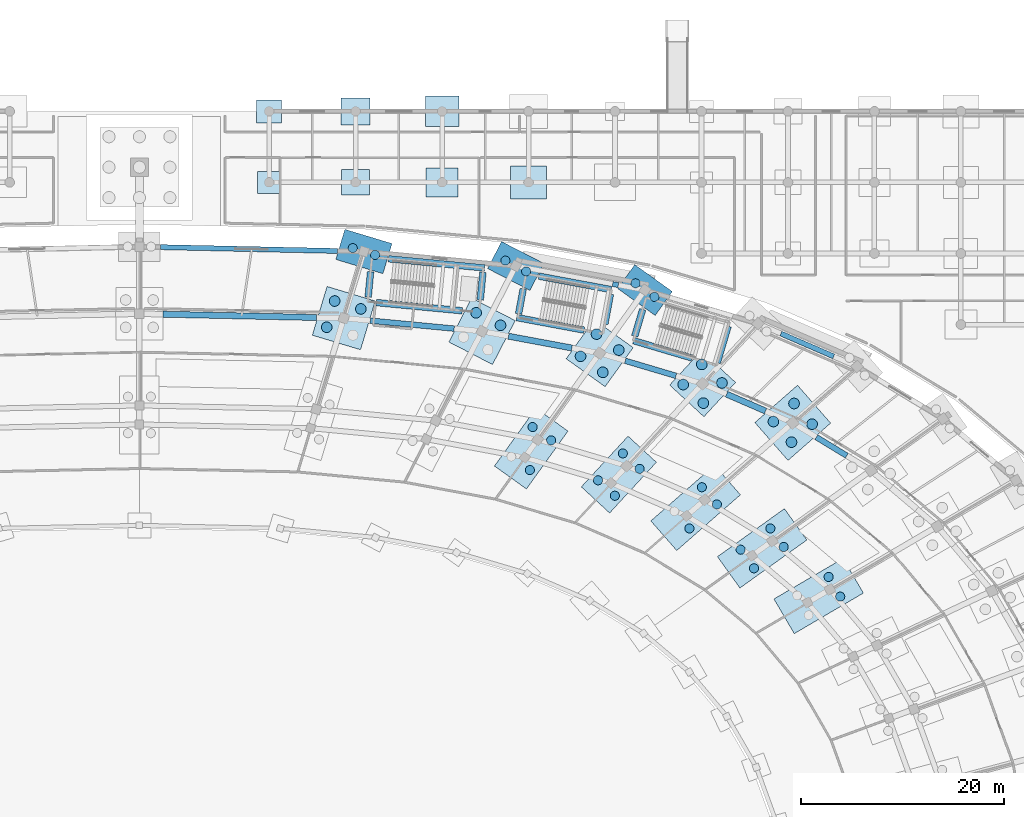
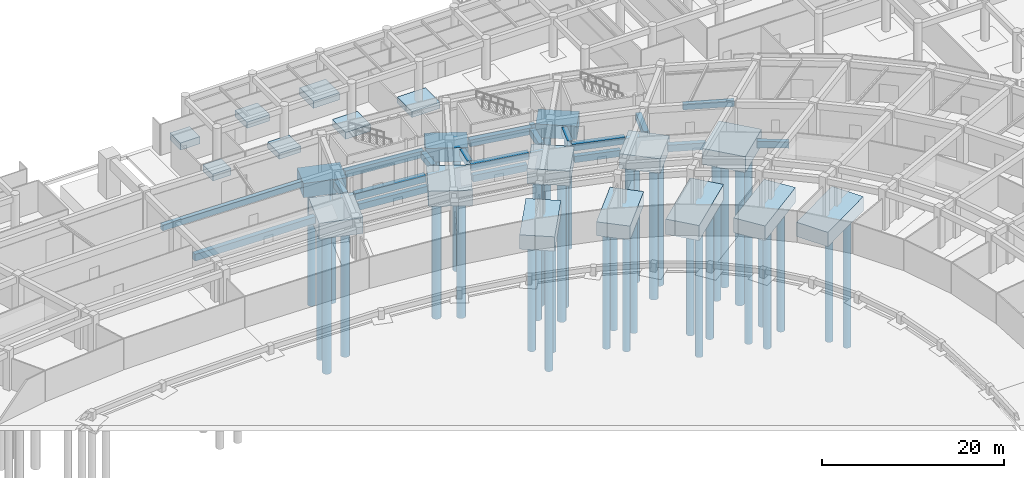
# One storey, part 12 of 88: 40 footings, 39 piles.
"""IFC4 building model written with IfcOpenShell, lengths in metres."""

from ifc_helpers import new_model, si_unit, direction, frame, origin, origin_2d, place, context, subcontext, project, spatial, rectangle, circle, extrude, material, material_profile, profile_set, type_object, element, save


model = new_model("IFC4")

# Units and contexts
model_context = context("Model", 3, precision=1e-05, world=origin(), true_north=direction((0.0, 1.0)))
body_context = subcontext(model_context, "Body", "Model", "MODEL_VIEW")
ifc_project = project(units=[si_unit("LENGTHUNIT", "METRE"), si_unit("AREAUNIT", "SQUARE_METRE"), si_unit("VOLUMEUNIT", "CUBIC_METRE"), si_unit("PLANEANGLEUNIT", "RADIAN"), si_unit("MASSUNIT", "GRAM", prefix="KILO")], contexts=[model_context])

# Site, building, storey
site_placement = place(None, origin())
site = spatial("IfcSite", under=ifc_project, at=site_placement, CompositionType="ELEMENT")
building_placement = place(site_placement, origin())
building = spatial("IfcBuilding", under=site, at=building_placement, Name="Mphavela Belvedere Stadium", CompositionType="ELEMENT")
storey_placement = place(building_placement, origin())
storey = spatial("IfcBuildingStorey", under=building, at=storey_placement, Name="L00", CompositionType="ELEMENT", Elevation=0.0)

# Footings
ifc_material_1 = material(Name="Concrete C35/45", Category="concrete")
footing_type_1 = type_object("IfcFootingType", Name="FTG-CORE-CF03", PredefinedType="PAD_FOOTING", material=ifc_material_1)
for number, where, z_axis, x_axis, name in (
    (1, (137.6533203125, 156.953125, -0.89990234375), (0.0, 0.0, 1.0), (0.094977069084, 0.995479460536, 0.0), "Core C03 shear wall foundation pad left"),
    (2, (152.579833984375, 155.28515625, -0.89990234375), (0.0, 0.0, 1.0), (0.183093507769, 0.983095502692, 0.0), "Core P02 shear wall foundation pad left"),
):
    element("IfcFooting", number, at=place(storey_placement, frame(where, z_axis=z_axis, x_axis=x_axis)), inside=storey, type_object=footing_type_1, Name=name, PredefinedType="PAD_FOOTING", context=body_context, shape_type="SweptSolid", body=[
        extrude(rectangle(XDim=2.5, YDim=0.64990234375, at=origin_2d()), origin(), (0.0, 0.0, 1.0), 0.89990234375),
    ])
ifc_material_2 = material(Name="Concrete C35/45", Category="concrete")
footing_type_2 = type_object("IfcFootingType", Name="FTG-CORE-CF04", PredefinedType="PAD_FOOTING", material=ifc_material_2)
for number, where, z_axis, x_axis, name in (
    (3, (148.70751953125, 156.78955078125, -0.89990234375), (0.0, 0.0, 1.0), (0.094977069084, 0.995479460536, 0.0), "Core C03 shear wall foundation pad right"),
    (4, (164.183837890625, 153.1708984375, -0.89990234375), (0.0, 0.0, 1.0), (0.284517342588, 0.958670893355, 0.0), "Core P01 shear wall foundation pad left"),
):
    element("IfcFooting", number, at=place(storey_placement, frame(where, z_axis=z_axis, x_axis=x_axis)), inside=storey, type_object=footing_type_2, Name=name, PredefinedType="PAD_FOOTING", context=body_context, shape_type="SweptSolid", body=[
        extrude(rectangle(XDim=2.75, YDim=0.64990234375, at=origin_2d()), origin(), (0.0, 0.0, 1.0), 0.89990234375),
    ])
ifc_material_3 = material(Name="Concrete C35/45", Category="concrete")
footing_type_3 = type_object("IfcFootingType", Name="FTG-CORE-CF05", PredefinedType="PAD_FOOTING", material=ifc_material_3)
footing_1_placement = place(storey_placement, frame((161.1240234375, 154.518310546875, -0.89990234375), z_axis=(0.0, 0.0, 1.0), x_axis=(0.183093507769, 0.983095502692, 0.0)))
element("IfcFooting", 5, at=footing_1_placement, inside=storey, type_object=footing_type_3, Name="Core P02 shear wall foundation pad right", PredefinedType="PAD_FOOTING", context=body_context, shape_type="SweptSolid", body=[
    extrude(rectangle(XDim=3.0, YDim=0.64990234375, at=origin_2d()), origin(), (0.0, 0.0, 1.0), 0.89990234375),
])
ifc_material_4 = material(Name="Concrete C35/45", Category="concrete")
footing_type_4 = type_object("IfcFootingType", Name="FTG-CORE-CF08", PredefinedType="PAD_FOOTING", material=ifc_material_4)
footing_2_placement = place(storey_placement, frame((172.459716796875, 151.039794921875, -0.89990234375), z_axis=(0.0, 0.0, 1.0), x_axis=(0.284517342588, 0.958670893355, 0.0)))
element("IfcFooting", 6, at=footing_2_placement, inside=storey, type_object=footing_type_4, Name="Core P01 shear wall foundation pad right", PredefinedType="PAD_FOOTING", context=body_context, shape_type="SweptSolid", body=[
    extrude(rectangle(XDim=3.75, YDim=0.64990234375, at=origin_2d()), origin(), (0.0, 0.0, 1.0), 0.89990234375),
])
ifc_material_5 = material(Name="Concrete C35/45", Category="concrete")
footing_type_5 = type_object("IfcFootingType", Name="FTG-CORE-CF14", PredefinedType="PAD_FOOTING", material=ifc_material_5)
footing_3_placement = place(storey_placement, frame((166.561279296875, 150.555908203125, -0.89990234375), z_axis=(0.0, 0.0, 1.0), x_axis=(0.958670893355, -0.284517342588, 0.0)))
element("IfcFooting", 7, at=footing_3_placement, inside=storey, type_object=footing_type_5, Name="Core P01 shear wall foundation pad front", PredefinedType="PAD_FOOTING", context=body_context, shape_type="SweptSolid", body=[
    extrude(rectangle(XDim=6.0, YDim=0.64990234375, at=origin_2d()), origin(), (0.0, 0.0, 1.0), 0.89990234375),
])
ifc_material_6 = material(Name="Concrete C35/45", Category="concrete")
footing_type_6 = type_object("IfcFootingType", Name="FTG-CORE-CF17", PredefinedType="PAD_FOOTING", material=ifc_material_6)
footing_4_placement = place(storey_placement, frame((155.4833984375, 153.069091796875, -0.89990234375), z_axis=(0.0, 0.0, 1.0), x_axis=(0.983095502692, -0.183093507769, 0.0)))
element("IfcFooting", 8, at=footing_4_placement, inside=storey, type_object=footing_type_6, Name="Core P02 shear wall foundation pad front", PredefinedType="PAD_FOOTING", context=body_context, shape_type="SweptSolid", body=[
    extrude(rectangle(XDim=6.75, YDim=0.64990234375, at=origin_2d()), origin(), (0.0, 0.0, 1.0), 0.89990234375),
])
ifc_material_7 = material(Name="Concrete C35/45", Category="concrete")
footing_type_7 = type_object("IfcFootingType", Name="FTG-CORE-CF18", PredefinedType="PAD_FOOTING", material=ifc_material_7)
footing_5_placement = place(storey_placement, frame((157.91357421875, 157.1025390625, -0.89990234375), z_axis=(0.0, 0.0, 1.0), x_axis=(0.983095502692, -0.183093507769, 0.0)))
element("IfcFooting", 9, at=footing_5_placement, inside=storey, type_object=footing_type_7, Name="Core P02 shear wall foundation pad rear", PredefinedType="PAD_FOOTING", context=body_context, shape_type="SweptSolid", body=[
    extrude(rectangle(XDim=7.25, YDim=0.64990234375, at=origin_2d()), origin(), (0.0, 0.0, 1.0), 0.89990234375),
])
ifc_material_8 = material(Name="Concrete C35/45", Category="concrete")
footing_type_8 = type_object("IfcFootingType", Name="FTG-CORE-CF20", PredefinedType="PAD_FOOTING", material=ifc_material_8)
footing_6_placement = place(storey_placement, frame((142.57470703125, 154.75830078125, -0.89990234375), z_axis=(0.0, 0.0, 1.0), x_axis=(0.995479460536, -0.094977069084, 0.0)))
element("IfcFooting", 10, at=footing_6_placement, inside=storey, type_object=footing_type_8, Name="Core C03 shear wall foundation pad front", PredefinedType="PAD_FOOTING", context=body_context, shape_type="SweptSolid", body=[
    extrude(rectangle(XDim=8.5, YDim=0.64990234375, at=origin_2d()), origin(), (0.0, 0.0, 1.0), 0.89990234375),
])
ifc_material_9 = material(Name="Concrete C35/45", Category="concrete")
footing_type_9 = type_object("IfcFootingType", Name="FTG-CORE-CF22", PredefinedType="PAD_FOOTING", material=ifc_material_9)
footing_7_placement = place(storey_placement, frame((144.267578125, 159.02685546875, -0.89990234375), z_axis=(0.0, 0.0, 1.0), x_axis=(0.995479460536, -0.094977069084, 0.0)))
element("IfcFooting", 11, at=footing_7_placement, inside=storey, type_object=footing_type_9, Name="Core C03 shear wall foundation pad rear", PredefinedType="PAD_FOOTING", context=body_context, shape_type="SweptSolid", body=[
    extrude(rectangle(XDim=9.5, YDim=0.64990234375, at=origin_2d()), origin(), (0.0, 0.0, 1.0), 0.89990234375),
])
ifc_material_10 = material(Name="Concrete C35/45", Category="concrete")
ifc_material_profile_1 = material_profile(ifc_material_10, rectangle(XDim=0.5, YDim=0.800048828125, at=origin_2d()), Name="GB 500x800")
ifc_profile_set_1 = profile_set([ifc_material_profile_1], Name="Concrete C35/45")
footing_type_10 = type_object("IfcFootingType", Name="FTG-GB-02", PredefinedType="FOOTING_BEAM", material=ifc_profile_set_1)
footing_8_placement = place(storey_placement, frame((183.3955078125, 149.8583984375, -0.5), z_axis=(-0.917510628495, 0.397711260336, 0.0), x_axis=(-0.397711260336, -0.917510628495, 0.0)))
element("IfcFooting", 12, at=footing_8_placement, inside=storey, type_object=footing_type_10, Name="Ground tie-beam R4-08", PredefinedType="FOOTING_BEAM", context=body_context, shape_type="SweptSolid", body=[
    extrude(rectangle(XDim=0.5, YDim=0.800048828125, at=origin_2d()), origin(), (0.0, 0.0, 1.0), 5.67529296875),
])
footing_9_placement = place(storey_placement, frame((162.179443359375, 156.88525390625, -0.5), z_axis=(-0.983092719014, 0.183108453714, 0.0), x_axis=(-0.183108453714, -0.983092719014, 0.0)))
element("IfcFooting", 13, at=footing_9_placement, inside=storey, type_object=footing_type_10, Name="Ground tie-beam R4-10", PredefinedType="FOOTING_BEAM", context=body_context, shape_type="SweptSolid", body=[
    extrude(rectangle(XDim=0.5, YDim=0.800048828125, at=origin_2d()), origin(), (0.0, 0.0, 1.0), 0.57470703125),
])
footing_10_placement = place(storey_placement, frame((134.492919921875, 160.250244140625, -0.5), z_axis=(-0.99976823948, 0.021528291332, 0.0), x_axis=(-0.021528291332, -0.99976823948, 0.0)))
element("IfcFooting", 14, at=footing_10_placement, inside=storey, type_object=footing_type_10, Name="Ground tie-beam R4-12", PredefinedType="FOOTING_BEAM", context=body_context, shape_type="SweptSolid", body=[
    extrude(rectangle(XDim=0.5, YDim=0.800048828125, at=origin_2d()), origin(), (0.0, 0.0, 1.0), 17.40771484375),
])
ifc_material_11 = material(Name="Concrete C35/45", Category="concrete")
ifc_material_profile_2 = material_profile(ifc_material_11, rectangle(XDim=0.550048828125, YDim=0.85009765625, at=origin_2d()), Name="GB 550x850")
ifc_profile_set_2 = profile_set([ifc_material_profile_2], Name="Concrete C35/45")
footing_type_11 = type_object("IfcFootingType", Name="FTG-GB-03", PredefinedType="FOOTING_BEAM", material=ifc_profile_set_2)
footing_11_placement = place(storey_placement, frame((184.68310546875, 140.07861328125, -0.550048828125), z_axis=(-0.85433291502, 0.519726149346, 0.0), x_axis=(-0.519726149346, -0.85433291502, 0.0)))
element("IfcFooting", 15, at=footing_11_placement, inside=storey, type_object=footing_type_11, Name="Ground tie-beam R3-07", PredefinedType="FOOTING_BEAM", context=body_context, shape_type="SweptSolid", body=[
    extrude(rectangle(XDim=0.550048828125, YDim=0.85009765625, at=origin_2d()), origin(), (0.0, 0.0, 1.0), 3.508056640625),
])
footing_12_placement = place(storey_placement, frame((167.854736328125, 147.946044921875, -0.550048828125), z_axis=(-0.958653855215, 0.284574745684, 0.0), x_axis=(-0.284574745684, -0.958653855215, 0.0)))
element("IfcFooting", 16, at=footing_12_placement, inside=storey, type_object=footing_type_11, Name="Ground tie-beam R3-09", PredefinedType="FOOTING_BEAM", context=body_context, shape_type="SweptSolid", body=[
    extrude(rectangle(XDim=0.550048828125, YDim=0.85009765625, at=origin_2d()), origin(), (0.0, 0.0, 1.0), 5.2119140625),
])
footing_13_placement = place(storey_placement, frame((146.00830078125, 152.596923828125, -0.550048828125), z_axis=(-0.995482516412, 0.094945034194, 0.0), x_axis=(-0.094945034194, -0.995482516412, 0.0)))
element("IfcFooting", 17, at=footing_13_placement, inside=storey, type_object=footing_type_11, Name="Ground tie-beam R3-11", PredefinedType="FOOTING_BEAM", context=body_context, shape_type="SweptSolid", body=[
    extrude(rectangle(XDim=0.550048828125, YDim=0.85009765625, at=origin_2d()), origin(), (0.0, 0.0, 1.0), 8.3056640625),
])
ifc_material_12 = material(Name="Concrete C35/45", Category="concrete")
ifc_material_profile_3 = material_profile(ifc_material_12, rectangle(XDim=0.60009765625, YDim=0.89990234375, at=origin_2d()), Name="GB 600x900")
ifc_profile_set_3 = profile_set([ifc_material_profile_3], Name="Concrete C35/45")
footing_type_12 = type_object("IfcFootingType", Name="FTG-GB-04", PredefinedType="FOOTING_BEAM", material=ifc_profile_set_3)
footing_14_placement = place(storey_placement, frame((176.677001953125, 144.47998046875, -0.550048828125), z_axis=(-0.91749739948, 0.397741777975, 0.0), x_axis=(-0.397741777975, -0.91749739948, 0.0)))
element("IfcFooting", 18, at=footing_14_placement, inside=storey, type_object=footing_type_12, Name="Ground tie-beam R3-08", PredefinedType="FOOTING_BEAM", context=body_context, shape_type="SweptSolid", body=[
    extrude(rectangle(XDim=0.60009765625, YDim=0.89990234375, at=origin_2d()), origin(), (0.0, 0.0, 1.0), 4.181884765625),
])
footing_15_placement = place(storey_placement, frame((157.600830078125, 150.687255859375, -0.550048828125), z_axis=(-0.983101254743, 0.183062620222, 0.0), x_axis=(-0.183062620222, -0.983101254743, 0.0)))
element("IfcFooting", 19, at=footing_15_placement, inside=storey, type_object=footing_type_12, Name="Ground tie-beam R3-10", PredefinedType="FOOTING_BEAM", context=body_context, shape_type="SweptSolid", body=[
    extrude(rectangle(XDim=0.60009765625, YDim=0.89990234375, at=origin_2d()), origin(), (0.0, 0.0, 1.0), 6.349365234375),
])
footing_16_placement = place(storey_placement, frame((132.43994140625, 153.69189453125, -0.550048828125), z_axis=(-0.999768159061, 0.021532025609, 0.0), x_axis=(-0.021532025609, -0.999768159061, 0.0)))
element("IfcFooting", 20, at=footing_16_placement, inside=storey, type_object=footing_type_12, Name="Ground tie-beam R3-12", PredefinedType="FOOTING_BEAM", context=body_context, shape_type="SweptSolid", body=[
    extrude(rectangle(XDim=0.60009765625, YDim=0.89990234375, at=origin_2d()), origin(), (0.0, 0.0, 1.0), 15.102783203125),
])
ifc_material_13 = material(Name="Concrete C35/45", Category="concrete")
footing_type_13 = type_object("IfcFootingType", Name="FTG-PAD-04", PredefinedType="PAD_FOOTING", material=ifc_material_13)
footing_17_placement = place(storey_placement, frame((127.778076171875, 167.0, -0.919921875), z_axis=(0.0, 0.0, 1.0), x_axis=(1.0, 0.0, 0.0)))
element("IfcFooting", 21, at=footing_17_placement, inside=storey, type_object=footing_type_13, Name="North Mast and Ceremonial End Forecourt pad footing 16-7", PredefinedType="PAD_FOOTING", context=body_context, shape_type="SweptSolid", body=[
    extrude(rectangle(XDim=2.320068359375, YDim=2.159912109375, at=origin_2d()), origin(), (0.0, 0.0, 1.0), 0.919921875),
])
ifc_material_14 = material(Name="Concrete C35/45", Category="concrete")
footing_type_14 = type_object("IfcFootingType", Name="FTG-PAD-05", PredefinedType="PAD_FOOTING", material=ifc_material_14)
footing_18_placement = place(storey_placement, frame((127.778076171875, 174.0, -0.9599609375), z_axis=(0.0, 0.0, 1.0), x_axis=(1.0, 0.0, 0.0)))
element("IfcFooting", 22, at=footing_18_placement, inside=storey, type_object=footing_type_14, Name="North Mast and Ceremonial End Forecourt pad footing 16-8", PredefinedType="PAD_FOOTING", context=body_context, shape_type="SweptSolid", body=[
    extrude(rectangle(XDim=2.4599609375, YDim=2.280029296875, at=origin_2d()), origin(), (0.0, 0.0, 1.0), 0.9599609375),
])
ifc_material_15 = material(Name="Concrete C35/45", Category="concrete")
footing_type_15 = type_object("IfcFootingType", Name="FTG-PAD-07", PredefinedType="PAD_FOOTING", material=ifc_material_15)
footing_19_placement = place(storey_placement, frame((136.2958984375, 167.0, -0.7998046875), z_axis=(0.0, 0.0, 1.0), x_axis=(1.0, 0.0, 0.0)))
element("IfcFooting", 23, at=footing_19_placement, inside=storey, type_object=footing_type_15, Name="North Mast and Ceremonial End Forecourt pad footing 17-7", PredefinedType="PAD_FOOTING", context=body_context, shape_type="SweptSolid", body=[
    extrude(rectangle(XDim=2.739990234375, YDim=2.52001953125, at=origin_2d()), origin(), (0.0, 0.0, 1.0), 0.800048828125),
])
ifc_material_16 = material(Name="Concrete C35/45", Category="concrete")
footing_type_16 = type_object("IfcFootingType", Name="FTG-PAD-08", PredefinedType="PAD_FOOTING", material=ifc_material_16)
footing_20_placement = place(storey_placement, frame((136.2958984375, 174.0, -0.83984375), z_axis=(0.0, 0.0, 1.0), x_axis=(1.0, 0.0, 0.0)))
element("IfcFooting", 24, at=footing_20_placement, inside=storey, type_object=footing_type_16, Name="North Mast and Ceremonial End Forecourt pad footing 17-8", PredefinedType="PAD_FOOTING", context=body_context, shape_type="SweptSolid", body=[
    extrude(rectangle(XDim=2.8798828125, YDim=2.639892578125, at=origin_2d()), origin(), (0.0, 0.0, 1.0), 0.840087890625),
])
ifc_material_17 = material(Name="Concrete C35/45", Category="concrete")
footing_type_17 = type_object("IfcFootingType", Name="FTG-PAD-10", PredefinedType="PAD_FOOTING", material=ifc_material_17)
footing_21_placement = place(storey_placement, frame((144.81494140625, 167.0, -0.919921875), z_axis=(0.0, 0.0, 1.0), x_axis=(1.0, 0.0, 0.0)))
element("IfcFooting", 25, at=footing_21_placement, inside=storey, type_object=footing_type_17, Name="North Mast and Ceremonial End Forecourt pad footing 18-7", PredefinedType="PAD_FOOTING", context=body_context, shape_type="SweptSolid", body=[
    extrude(rectangle(XDim=3.159912109375, YDim=2.8798828125, at=origin_2d()), origin(), (0.0, 0.0, 1.0), 0.919921875),
])
ifc_material_18 = material(Name="Concrete C35/45", Category="concrete")
footing_type_18 = type_object("IfcFootingType", Name="FTG-PAD-11", PredefinedType="PAD_FOOTING", material=ifc_material_18)
footing_22_placement = place(storey_placement, frame((144.81494140625, 174.0, -0.9599609375), z_axis=(0.0, 0.0, 1.0), x_axis=(1.0, 0.0, 0.0)))
element("IfcFooting", 26, at=footing_22_placement, inside=storey, type_object=footing_type_18, Name="North Mast and Ceremonial End Forecourt pad footing 18-8", PredefinedType="PAD_FOOTING", context=body_context, shape_type="SweptSolid", body=[
    extrude(rectangle(XDim=3.300048828125, YDim=3.0, at=origin_2d()), origin(), (0.0, 0.0, 1.0), 0.9599609375),
])
ifc_material_19 = material(Name="Concrete C35/45", Category="concrete")
footing_type_19 = type_object("IfcFootingType", Name="FTG-PAD-13", PredefinedType="PAD_FOOTING", material=ifc_material_19)
footing_23_placement = place(storey_placement, frame((153.3330078125, 167.0, -0.7998046875), z_axis=(0.0, 0.0, 1.0), x_axis=(1.0, 0.0, 0.0)))
element("IfcFooting", 27, at=footing_23_placement, inside=storey, type_object=footing_type_19, Name="North Mast and Ceremonial End Forecourt pad footing 19-7", PredefinedType="PAD_FOOTING", context=body_context, shape_type="SweptSolid", body=[
    extrude(rectangle(XDim=3.580078125, YDim=3.239990234375, at=origin_2d()), origin(), (0.0, 0.0, 1.0), 0.800048828125),
])
ifc_material_20 = material(Name="Concrete C35/45", Category="concrete")
footing_type_20 = type_object("IfcFootingType", Name="FTG-PC-R12-01", PredefinedType="PILE_CAP", material=ifc_material_20)
footing_24_placement = place(storey_placement, frame((162.2265625, 138.220703125, -1.85009765625), z_axis=(0.0, 0.0, 1.0), x_axis=(0.677903094969, 0.735151272753, 0.0)))
element("IfcFooting", 28, at=footing_24_placement, inside=storey, type_object=footing_type_20, Name="Bowl inner pile cap 09", PredefinedType="PILE_CAP", context=body_context, shape_type="SweptSolid", body=[
    extrude(rectangle(XDim=6.800048828125, YDim=3.800048828125, at=origin_2d()), origin(), (0.0, 0.0, 1.0), 1.85009765625),
])
ifc_material_21 = material(Name="Concrete C35/45", Category="concrete")
footing_type_21 = type_object("IfcFootingType", Name="FTG-PC-R12-02", PredefinedType="PILE_CAP", material=ifc_material_21)
footing_25_placement = place(storey_placement, frame((153.595947265625, 140.78271484375, -1.91015625), z_axis=(0.0, 0.0, 1.0), x_axis=(0.582974127943, 0.812490717577, 0.0)))
element("IfcFooting", 29, at=footing_25_placement, inside=storey, type_object=footing_type_21, Name="Bowl inner pile cap 10", PredefinedType="PILE_CAP", context=body_context, shape_type="SweptSolid", body=[
    extrude(rectangle(XDim=7.02001953125, YDim=3.8798828125, at=origin_2d()), origin(), (0.0, 0.0, 1.0), 1.909912109375),
])
ifc_material_22 = material(Name="Concrete C35/45", Category="concrete")
footing_type_22 = type_object("IfcFootingType", Name="FTG-PC-R12-06", PredefinedType="PILE_CAP", material=ifc_material_22)
footing_26_placement = place(storey_placement, frame((181.912109375, 126.256591796875, -1.91015625), z_axis=(0.0, 0.0, 1.0), x_axis=(0.862513669207, 0.506033764121, 0.0)))
element("IfcFooting", 30, at=footing_26_placement, inside=storey, type_object=footing_type_22, Name="Bowl inner pile cap 06", PredefinedType="PILE_CAP", context=body_context, shape_type="SweptSolid", body=[
    extrude(rectangle(XDim=7.89990234375, YDim=3.9599609375, at=origin_2d()), origin(), (0.0, 0.0, 1.0), 1.909912109375),
])
ifc_material_23 = material(Name="Concrete C35/45", Category="concrete")
footing_type_23 = type_object("IfcFootingType", Name="FTG-PC-R12-07", PredefinedType="PILE_CAP", material=ifc_material_23)
footing_27_placement = place(storey_placement, frame((176.345703125, 130.953857421875, -1.97021484375), z_axis=(0.0, 0.0, 1.0), x_axis=(0.812897512265, 0.582406760395, 0.0)))
element("IfcFooting", 31, at=footing_27_placement, inside=storey, type_object=footing_type_23, Name="Bowl inner pile cap 07", PredefinedType="PILE_CAP", context=body_context, shape_type="SweptSolid", body=[
    extrude(rectangle(XDim=8.1201171875, YDim=3.800048828125, at=origin_2d()), origin(), (0.0, 0.0, 1.0), 1.969970703125),
])
ifc_material_24 = material(Name="Concrete C35/45", Category="concrete")
footing_type_24 = type_object("IfcFootingType", Name="FTG-PC-R12-08", PredefinedType="PILE_CAP", material=ifc_material_24)
footing_28_placement = place(storey_placement, frame((169.78955078125, 134.9423828125, -2.02978515625), z_axis=(0.0, 0.0, 1.0), x_axis=(0.752529860433, 0.658558128912, 0.0)))
element("IfcFooting", 32, at=footing_28_placement, inside=storey, type_object=footing_type_24, Name="Bowl inner pile cap 08", PredefinedType="PILE_CAP", context=body_context, shape_type="SweptSolid", body=[
    extrude(rectangle(XDim=8.340087890625, YDim=3.8798828125, at=origin_2d()), origin(), (0.0, 0.0, 1.0), 2.030029296875),
])
ifc_material_25 = material(Name="Concrete C35/45", Category="concrete")
footing_type_25 = type_object("IfcFootingType", Name="FTG-PC-R3-01", PredefinedType="PILE_CAP", material=ifc_material_25)
footing_29_placement = place(storey_placement, frame((170.476318359375, 147.16796875, -1.9501953125), z_axis=(0.0, 0.0, 1.0), x_axis=(0.677903094969, 0.735151272753, 0.0)))
element("IfcFooting", 33, at=footing_29_placement, inside=storey, type_object=footing_type_25, Name="Bowl main pile cap 09", PredefinedType="PILE_CAP", context=body_context, shape_type="SweptSolid", body=[
    extrude(rectangle(XDim=4.60009765625, YDim=4.60009765625, at=origin_2d()), origin(), (0.0, 0.0, 1.0), 1.949951171875),
])
ifc_material_26 = material(Name="Concrete C35/45", Category="concrete")
footing_type_26 = type_object("IfcFootingType", Name="FTG-PC-R3-02", PredefinedType="PILE_CAP", material=ifc_material_26)
footing_30_placement = place(storey_placement, frame((160.337890625, 150.177490234375, -2.009765625), z_axis=(0.0, 0.0, 1.0), x_axis=(0.582974127943, 0.812490717577, 0.0)))
element("IfcFooting", 34, at=footing_30_placement, inside=storey, type_object=footing_type_26, Name="Bowl main pile cap 10", PredefinedType="PILE_CAP", context=body_context, shape_type="SweptSolid", body=[
    extrude(rectangle(XDim=4.739990234375, YDim=4.719970703125, at=origin_2d()), origin(), (0.0, 0.0, 1.0), 2.010009765625),
])
ifc_material_27 = material(Name="Concrete C35/45", Category="concrete")
footing_type_27 = type_object("IfcFootingType", Name="FTG-PC-R3-03", PredefinedType="PILE_CAP", material=ifc_material_27)
footing_31_placement = place(storey_placement, frame((148.750244140625, 152.33544921875, -2.06982421875), z_axis=(0.0, 0.0, 1.0), x_axis=(0.458959712465, 0.888457079624, 0.0)))
element("IfcFooting", 35, at=footing_31_placement, inside=storey, type_object=footing_type_27, Name="Bowl main pile cap 11", PredefinedType="PILE_CAP", context=body_context, shape_type="SweptSolid", body=[
    extrude(rectangle(XDim=4.8798828125, YDim=4.840087890625, at=origin_2d()), origin(), (0.0, 0.0, 1.0), 2.070068359375),
])
ifc_material_28 = material(Name="Concrete C35/45", Category="concrete")
footing_type_28 = type_object("IfcFootingType", Name="FTG-PC-R3-04", PredefinedType="PILE_CAP", material=ifc_material_28)
footing_32_placement = place(storey_placement, frame((135.1328125, 153.634033203125, -2.1298828125), z_axis=(0.0, 0.0, 1.0), x_axis=(0.289198876314, 0.957269037387, 0.0)))
element("IfcFooting", 36, at=footing_32_placement, inside=storey, type_object=footing_type_28, Name="Bowl main pile cap 12", PredefinedType="PILE_CAP", context=body_context, shape_type="SweptSolid", body=[
    extrude(rectangle(XDim=5.02001953125, YDim=4.9599609375, at=origin_2d()), origin(), (0.0, 0.0, 1.0), 2.1298828125),
])
ifc_material_29 = material(Name="Concrete C35/45", Category="concrete")
footing_type_29 = type_object("IfcFootingType", Name="FTG-PC-R3-08", PredefinedType="PILE_CAP", material=ifc_material_29)
footing_33_placement = place(storey_placement, frame((179.360107421875, 143.31689453125, -2.1298828125), z_axis=(0.0, 0.0, 1.0), x_axis=(0.752529860433, 0.658558128912, 0.0)))
element("IfcFooting", 37, at=footing_33_placement, inside=storey, type_object=footing_type_29, Name="Bowl main pile cap 08", PredefinedType="PILE_CAP", context=body_context, shape_type="SweptSolid", body=[
    extrude(rectangle(XDim=5.580078125, YDim=4.9599609375, at=origin_2d()), origin(), (0.0, 0.0, 1.0), 2.1298828125),
])
ifc_material_30 = material(Name="Concrete C35/45", Category="concrete")
footing_type_30 = type_object("IfcFootingType", Name="FTG-PC-R4-04", PredefinedType="PILE_CAP", material=ifc_material_30)
footing_34_placement = place(storey_placement, frame((164.80126953125, 156.39697265625, -1.7998046875), z_axis=(0.0, 0.0, 1.0), x_axis=(-0.812490717577, 0.582974127943, 0.0)))
element("IfcFooting", 38, at=footing_34_placement, inside=storey, type_object=footing_type_30, Name="Perimeter colonnade pile cap 10", PredefinedType="PILE_CAP", context=body_context, shape_type="SweptSolid", body=[
    extrude(rectangle(XDim=4.550048828125, YDim=2.89990234375, at=origin_2d()), origin(), (0.0, 0.0, 1.0), 1.800048828125),
])
ifc_material_31 = material(Name="Concrete C35/45", Category="concrete")
footing_type_31 = type_object("IfcFootingType", Name="FTG-PC-R4-05", PredefinedType="PILE_CAP", material=ifc_material_31)
footing_35_placement = place(storey_placement, frame((152.07275390625, 158.767333984375, -1.85986328125), z_axis=(0.0, 0.0, 1.0), x_axis=(-0.888457079624, 0.458959712465, 0.0)))
element("IfcFooting", 39, at=footing_35_placement, inside=storey, type_object=footing_type_31, Name="Perimeter colonnade pile cap 11", PredefinedType="PILE_CAP", context=body_context, shape_type="SweptSolid", body=[
    extrude(rectangle(XDim=4.699951171875, YDim=3.0, at=origin_2d()), origin(), (0.0, 0.0, 1.0), 1.860107421875),
])
ifc_material_32 = material(Name="Concrete C35/45", Category="concrete")
footing_type_32 = type_object("IfcFootingType", Name="FTG-PC-R4-06", PredefinedType="PILE_CAP", material=ifc_material_32)
footing_36_placement = place(storey_placement, frame((137.114501953125, 160.19384765625, -1.919921875), z_axis=(0.0, 0.0, 1.0), x_axis=(-0.957269037387, 0.289198876314, 0.0)))
element("IfcFooting", 40, at=footing_36_placement, inside=storey, type_object=footing_type_32, Name="Perimeter colonnade pile cap 12", PredefinedType="PILE_CAP", context=body_context, shape_type="SweptSolid", body=[
    extrude(rectangle(XDim=4.85009765625, YDim=3.10009765625, at=origin_2d()), origin(), (0.0, 0.0, 1.0), 1.919921875),
])

# Piles
ifc_material_33 = material(Name="Concrete C35/45", Category="concrete")
ifc_material_profile_4 = material_profile(ifc_material_33, circle(Radius=0.52490234375, at=origin_2d()), Name="BP D1050")
ifc_profile_set_4 = profile_set([ifc_material_profile_4], Name="Concrete C35/45")
pile_type_1 = type_object("IfcPileType", Name="PIL-BP1050-A", PredefinedType="BORED", material=ifc_profile_set_4)
for number, where, z_axis, x_axis, name in (
    (41, (170.5537109375, 145.260498046875, -1.85009765625), (0.0, 0.0, -1.0), (1.0, 0.0, 0.0), "Bored pile R3-09-1"),
    (42, (168.568603515625, 147.090576171875, -1.85009765625), (0.0, 0.0, -1.0), (1.0, 0.0, 0.0), "Bored pile R3-09-2"),
    (43, (172.3837890625, 147.245361328125, -1.85009765625), (0.0, 0.0, -1.0), (1.0, 0.0, 0.0), "Bored pile R3-09-3"),
    (44, (170.398681640625, 149.07568359375, -1.85009765625), (0.0, 0.0, -1.0), (1.0, 0.0, 0.0), "Bored pile R3-09-4"),
    (45, (150.5693359375, 152.915283203125, -1.969970703125), (0.0, 0.0, -1.0), (1.0, 0.0, 0.0), "Bored pile R3-11-3"),
    (46, (148.17041015625, 154.154541015625, -1.969970703125), (0.0, 0.0, -1.0), (1.0, 0.0, 0.0), "Bored pile R3-11-4"),
):
    element("IfcPile", number, at=place(storey_placement, frame(where, z_axis=z_axis, x_axis=x_axis)), inside=storey, type_object=pile_type_1, Name=name, PredefinedType="BORED", context=body_context, shape_type="SweptSolid", body=[
        extrude(circle(Radius=0.52490234375, at=origin_2d()), origin(), (0.0, 0.0, 1.0), 17.5),
    ])
ifc_material_34 = material(Name="Concrete C35/45", Category="concrete")
ifc_material_profile_5 = material_profile(ifc_material_34, circle(Radius=0.52490234375, at=origin_2d()), Name="BP D1050")
ifc_profile_set_5 = profile_set([ifc_material_profile_5], Name="Concrete C35/45")
pile_type_2 = type_object("IfcPileType", Name="PIL-BP1050-B", PredefinedType="BORED", material=ifc_profile_set_5)
for number, where, z_axis, x_axis, name in (
    (47, (179.233154296875, 141.411865234375, -2.030029296875), (0.0, 0.0, -1.0), (1.0, 0.0, 0.0), "Bored pile R3-08-1"),
    (48, (177.455078125, 143.44384765625, -2.030029296875), (0.0, 0.0, -1.0), (1.0, 0.0, 0.0), "Bored pile R3-08-2"),
    (49, (181.26513671875, 143.189697265625, -2.030029296875), (0.0, 0.0, -1.0), (1.0, 0.0, 0.0), "Bored pile R3-08-3"),
    (50, (179.4873046875, 145.2216796875, -2.030029296875), (0.0, 0.0, -1.0), (1.0, 0.0, 0.0), "Bored pile R3-08-4"),
    (51, (160.647705078125, 148.29345703125, -1.909912109375), (0.0, 0.0, -1.0), (1.0, 0.0, 0.0), "Bored pile R3-10-1"),
    (52, (158.4541015625, 149.86767578125, -1.909912109375), (0.0, 0.0, -1.0), (1.0, 0.0, 0.0), "Bored pile R3-10-2"),
    (53, (162.2216796875, 150.487060546875, -1.909912109375), (0.0, 0.0, -1.0), (1.0, 0.0, 0.0), "Bored pile R3-10-3"),
    (54, (160.0283203125, 152.061279296875, -1.909912109375), (0.0, 0.0, -1.0), (1.0, 0.0, 0.0), "Bored pile R3-10-4"),
    (55, (133.449951171875, 152.732177734375, -2.030029296875), (0.0, 0.0, -1.0), (1.0, 0.0, 0.0), "Bored pile R3-12-2"),
    (56, (136.8154296875, 154.535888671875, -2.030029296875), (0.0, 0.0, -1.0), (1.0, 0.0, 0.0), "Bored pile R3-12-3"),
    (57, (134.230712890625, 155.31689453125, -2.030029296875), (0.0, 0.0, -1.0), (1.0, 0.0, 0.0), "Bored pile R3-12-4"),
):
    element("IfcPile", number, at=place(storey_placement, frame(where, z_axis=z_axis, x_axis=x_axis)), inside=storey, type_object=pile_type_2, Name=name, PredefinedType="BORED", context=body_context, shape_type="SweptSolid", body=[
        extrude(circle(Radius=0.52490234375, at=origin_2d()), origin(), (0.0, 0.0, 1.0), 18.800048828125),
    ])
ifc_material_35 = material(Name="Concrete C35/45", Category="concrete")
ifc_material_profile_6 = material_profile(ifc_material_35, circle(Radius=0.449951171875, at=origin_2d()), Name="BP D900")
ifc_profile_set_6 = profile_set([ifc_material_profile_6], Name="Concrete C35/45")
pile_type_3 = type_object("IfcPileType", Name="PIL-BP900-A", PredefinedType="BORED", material=ifc_profile_set_6)
for number, where, z_axis, x_axis, name in (
    (58, (175.53759765625, 128.990966796875, -1.8701171875), (0.0, 0.0, -1.0), (1.0, 0.0, 0.0), "Bored pile R12-07-1"),
    (59, (174.227294921875, 130.81982421875, -1.8701171875), (0.0, 0.0, -1.0), (1.0, 0.0, 0.0), "Bored pile R12-07-2"),
    (60, (178.464111328125, 131.087646484375, -1.8701171875), (0.0, 0.0, -1.0), (1.0, 0.0, 0.0), "Bored pile R12-07-3"),
    (61, (177.153564453125, 132.916748046875, -1.8701171875), (0.0, 0.0, -1.0), (1.0, 0.0, 0.0), "Bored pile R12-07-4"),
    (62, (161.83349609375, 136.134765625, -1.75), (0.0, 0.0, -1.0), (1.0, 0.0, 0.0), "Bored pile R12-09-1"),
    (63, (160.179443359375, 137.659912109375, -1.75), (0.0, 0.0, -1.0), (1.0, 0.0, 0.0), "Bored pile R12-09-2"),
    (64, (164.273681640625, 138.781494140625, -1.75), (0.0, 0.0, -1.0), (1.0, 0.0, 0.0), "Bored pile R12-09-3"),
    (65, (162.61962890625, 140.306640625, -1.75), (0.0, 0.0, -1.0), (1.0, 0.0, 0.0), "Bored pile R12-09-4"),
):
    element("IfcPile", number, at=place(storey_placement, frame(where, z_axis=z_axis, x_axis=x_axis)), inside=storey, type_object=pile_type_3, Name=name, PredefinedType="BORED", context=body_context, shape_type="SweptSolid", body=[
        extrude(circle(Radius=0.449951171875, at=origin_2d()), origin(), (0.0, 0.0, 1.0), 16.0),
    ])
for number, where, z_axis, x_axis, name in (
    (66, (165.735595703125, 155.726318359375, -1.699951171875), (0.0, 0.0, -1.0), (1.0, 0.0, 0.0), "Bored pile R4-10-1"),
    (67, (163.866943359375, 157.0673828125, -1.699951171875), (0.0, 0.0, -1.0), (1.0, 0.0, 0.0), "Bored pile R4-10-2"),
    (68, (153.094482421875, 158.239501953125, -1.760009765625), (0.0, 0.0, -1.0), (1.0, 0.0, 0.0), "Bored pile R4-11-1"),
    (69, (151.051025390625, 159.295166015625, -1.760009765625), (0.0, 0.0, -1.0), (1.0, 0.0, 0.0), "Bored pile R4-11-2"),
    (70, (138.215576171875, 159.861083984375, -1.820068359375), (0.0, 0.0, -1.0), (1.0, 0.0, 0.0), "Bored pile R4-12-1"),
    (71, (136.013671875, 160.5263671875, -1.820068359375), (0.0, 0.0, -1.0), (1.0, 0.0, 0.0), "Bored pile R4-12-2"),
):
    element("IfcPile", number, at=place(storey_placement, frame(where, z_axis=z_axis, x_axis=x_axis)), inside=storey, type_object=pile_type_3, Name=name, PredefinedType="BORED", context=body_context, shape_type="SweptSolid", body=[
        extrude(circle(Radius=0.449951171875, at=origin_2d()), origin(), (0.0, 0.0, 1.0), 15.60009765625),
    ])
ifc_material_36 = material(Name="Concrete C35/45", Category="concrete")
ifc_material_profile_7 = material_profile(ifc_material_36, circle(Radius=0.449951171875, at=origin_2d()), Name="BP D900")
ifc_profile_set_7 = profile_set([ifc_material_profile_7], Name="Concrete C35/45")
pile_type_4 = type_object("IfcPileType", Name="PIL-BP900-B", PredefinedType="BORED", material=ifc_profile_set_7)
for number, where, z_axis, x_axis, name in (
    (72, (184.033935546875, 126.197021484375, -1.81005859375), (0.0, 0.0, -1.0), (1.0, 0.0, 0.0), "Bored pile R12-06-3"),
    (73, (182.8955078125, 128.1376953125, -1.81005859375), (0.0, 0.0, -1.0), (1.0, 0.0, 0.0), "Bored pile R12-06-4"),
    (74, (169.17578125, 132.910400390625, -1.929931640625), (0.0, 0.0, -1.0), (1.0, 0.0, 0.0), "Bored pile R12-08-1"),
    (75, (171.885009765625, 135.281005859375, -1.929931640625), (0.0, 0.0, -1.0), (1.0, 0.0, 0.0), "Bored pile R12-08-3"),
    (76, (170.4033203125, 136.974365234375, -1.929931640625), (0.0, 0.0, -1.0), (1.0, 0.0, 0.0), "Bored pile R12-08-4"),
    (77, (153.46044921875, 138.664306640625, -1.81005859375), (0.0, 0.0, -1.0), (1.0, 0.0, 0.0), "Bored pile R12-10-1"),
    (78, (155.5595703125, 141.589111328125, -1.81005859375), (0.0, 0.0, -1.0), (1.0, 0.0, 0.0), "Bored pile R12-10-3"),
    (79, (153.7314453125, 142.90087890625, -1.81005859375), (0.0, 0.0, -1.0), (1.0, 0.0, 0.0), "Bored pile R12-10-4"),
):
    element("IfcPile", number, at=place(storey_placement, frame(where, z_axis=z_axis, x_axis=x_axis)), inside=storey, type_object=pile_type_4, Name=name, PredefinedType="BORED", context=body_context, shape_type="SweptSolid", body=[
        extrude(circle(Radius=0.449951171875, at=origin_2d()), origin(), (0.0, 0.0, 1.0), 17.199951171875),
    ])

save(model, "model.ifc")
